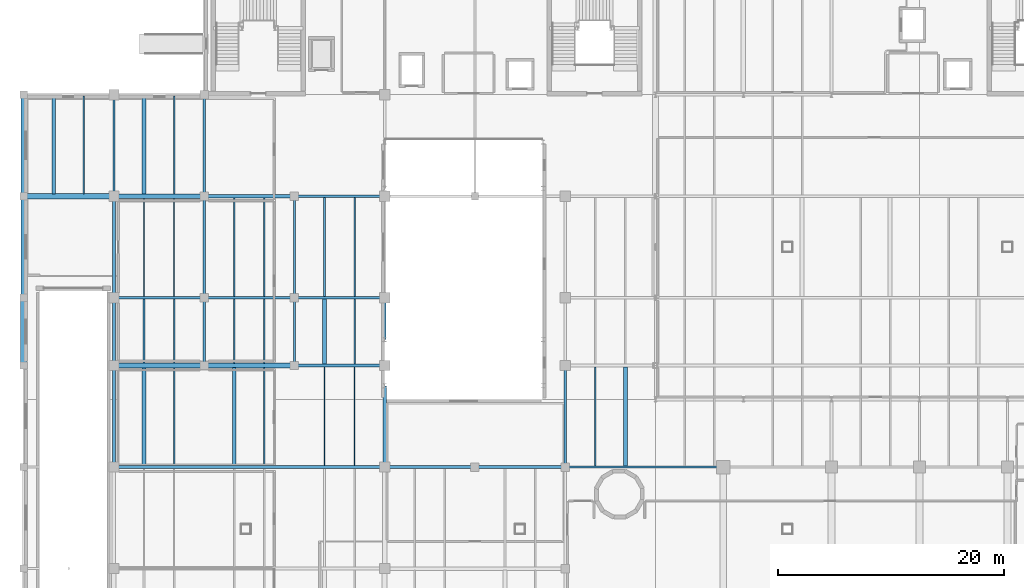
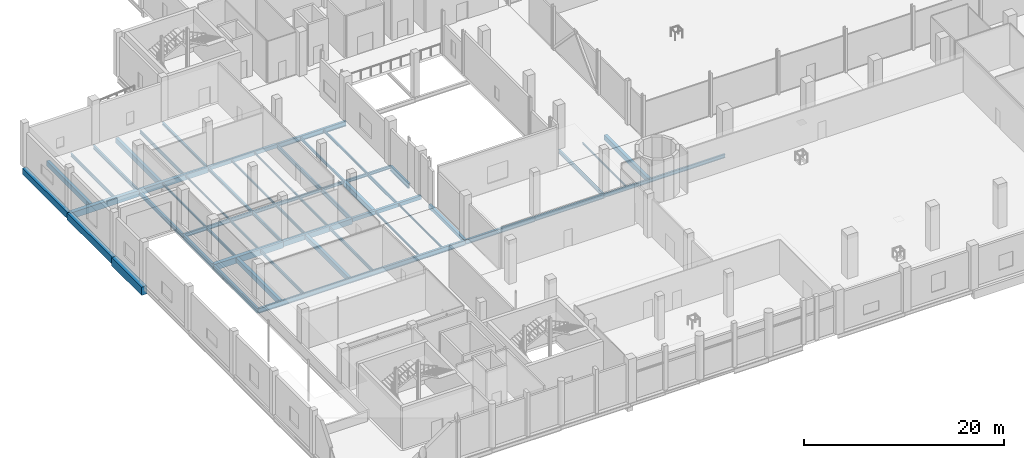
# One storey, part 21 of 57: 53 beams.
"""IFC4 building model written with IfcOpenShell, lengths in metres."""

from ifc_helpers import new_model, si_unit, derived_unit, direction, frame, origin, origin_2d, place, context, subcontext, project, spatial, rectangle, i_section, extrude, material, material_profile, profile_set, type_object, element, save


model = new_model("IFC4")

# Units and contexts
model_context = context("Model", 3, precision=1e-05, world=origin(), true_north=direction((0.0, 1.0)))
body_context = subcontext(model_context, "Body", "Model", "MODEL_VIEW")
ifc_project = project(units=[si_unit("LENGTHUNIT", "METRE"), si_unit("AREAUNIT", "SQUARE_METRE"), si_unit("VOLUMEUNIT", "CUBIC_METRE"), si_unit("PLANEANGLEUNIT", "RADIAN"), si_unit("MASSUNIT", "GRAM", prefix="KILO"), derived_unit("THERMALTRANSMITTANCEUNIT", [(si_unit("POWERUNIT", "WATT"), 1), (si_unit("LENGTHUNIT", "METRE"), -2), (si_unit("THERMODYNAMICTEMPERATUREUNIT", "KELVIN"), -1)])], contexts=[model_context])

# Site, building, storey
site_placement = place(None, origin())
site = spatial("IfcSite", under=ifc_project, at=site_placement, CompositionType="ELEMENT")
building_placement = place(site_placement, origin())
building = spatial("IfcBuilding", under=site, at=building_placement, Name="Nallur Shell Playhouse", CompositionType="ELEMENT")
storey_placement = place(building_placement, origin())
storey = spatial("IfcBuildingStorey", under=building, at=storey_placement, Name="L01", CompositionType="ELEMENT", Elevation=0.0)

# Beams
ifc_material_1 = material(Name="Steel E250", Category="steel")
ifc_material_profile_1 = material_profile(ifc_material_1, i_section(OverallWidth=0.110107421875, OverallDepth=0.22509765625, WebThickness=0.006591796875, FlangeThickness=0.01171875, FilletRadius=0.011962890625, at=origin_2d()), Name="ISMB 225")
ifc_profile_set_1 = profile_set([ifc_material_profile_1], Name="Steel E250")
beam_type_1 = type_object("IfcBeamType", Name="BM-JST-ISMB225", PredefinedType="JOIST", material=ifc_profile_set_1)
beam_1_placement = place(storey_placement, frame((21.333251953125, 56.097900390625, -0.4326171875), z_axis=(0.0, 1.0, 0.0), x_axis=(-1.0, 0.0, 0.0)))
element("IfcBeam", 1, at=beam_1_placement, inside=storey, type_object=beam_type_1, Name="L01 secondary joist 2-G-197", PredefinedType="JOIST", context=body_context, shape_type="SweptSolid", body=[
    extrude(i_section(OverallWidth=0.110107421875, OverallDepth=0.22509765625, WebThickness=0.006591796875, FlangeThickness=0.01171875, FilletRadius=0.011962890625, at=origin_2d()), origin(), (0.0, 0.0, 1.0), 8.7041015625),
])
beam_2_placement = place(storey_placement, frame((29.333251953125, 56.097900390625, -0.4326171875), z_axis=(0.0, 1.0, 0.0), x_axis=(-1.0, 0.0, 0.0)))
element("IfcBeam", 2, at=beam_2_placement, inside=storey, type_object=beam_type_1, Name="L01 secondary joist 3-G-209", PredefinedType="JOIST", context=body_context, shape_type="SweptSolid", body=[
    extrude(i_section(OverallWidth=0.110107421875, OverallDepth=0.22509765625, WebThickness=0.006591796875, FlangeThickness=0.01171875, FilletRadius=0.011962890625, at=origin_2d()), origin(), (0.0, 0.0, 1.0), 8.754150390625),
])
beam_3_placement = place(storey_placement, frame((37.333251953125, 41.123046875, -0.4326171875), z_axis=(0.0, 1.0, 0.0), x_axis=(-1.0, 0.0, 0.0)))
element("IfcBeam", 3, at=beam_3_placement, inside=storey, type_object=beam_type_1, Name="L01 secondary joist 4-E-215", PredefinedType="JOIST", context=body_context, shape_type="SweptSolid", body=[
    extrude(i_section(OverallWidth=0.110107421875, OverallDepth=0.22509765625, WebThickness=0.006591796875, FlangeThickness=0.01171875, FilletRadius=0.011962890625, at=origin_2d()), origin(), (0.0, 0.0, 1.0), 8.72900390625),
])
beam_4_placement = place(storey_placement, frame((58.666748046875, 41.097900390625, -0.4326171875), z_axis=(0.0, 1.0, 0.0), x_axis=(-1.0, 0.0, 0.0)))
element("IfcBeam", 4, at=beam_4_placement, inside=storey, type_object=beam_type_1, Name="L01 secondary joist 7-E-251", PredefinedType="JOIST", context=body_context, shape_type="SweptSolid", body=[
    extrude(i_section(OverallWidth=0.110107421875, OverallDepth=0.22509765625, WebThickness=0.006591796875, FlangeThickness=0.01171875, FilletRadius=0.011962890625, at=origin_2d()), origin(), (0.0, 0.0, 1.0), 8.779052734375),
])
ifc_material_profile_2 = material_profile(ifc_material_1, i_section(OverallWidth=0.125, OverallDepth=0.25, WebThickness=0.0068359375, FlangeThickness=0.012451171875, FilletRadius=0.012939453125, at=origin_2d()), Name="ISMB 250")
ifc_profile_set_2 = profile_set([ifc_material_profile_2], Name="Steel E250")
beam_type_2 = type_object("IfcBeamType", Name="BM-JST-ISMB250", PredefinedType="JOIST", material=ifc_profile_set_2)
beam_5_placement = place(storey_placement, frame((18.666748046875, 56.097900390625, -0.445068359375), z_axis=(0.0, 1.0, 0.0), x_axis=(-1.0, 0.0, 0.0)))
element("IfcBeam", 5, at=beam_5_placement, inside=storey, type_object=beam_type_2, Name="L01 secondary joist 2-G-196", PredefinedType="JOIST", context=body_context, shape_type="SweptSolid", body=[
    extrude(i_section(OverallWidth=0.125, OverallDepth=0.25, WebThickness=0.0068359375, FlangeThickness=0.012451171875, FilletRadius=0.012939453125, at=origin_2d()), origin(), (0.0, 0.0, 1.0), 8.7041015625),
])
beam_6_placement = place(storey_placement, frame((26.666748046875, 56.097900390625, -0.445068359375), z_axis=(0.0, 1.0, 0.0), x_axis=(-1.0, 0.0, 0.0)))
element("IfcBeam", 6, at=beam_6_placement, inside=storey, type_object=beam_type_2, Name="L01 secondary joist 3-G-208", PredefinedType="JOIST", context=body_context, shape_type="SweptSolid", body=[
    extrude(i_section(OverallWidth=0.125, OverallDepth=0.25, WebThickness=0.0068359375, FlangeThickness=0.012451171875, FilletRadius=0.012939453125, at=origin_2d()), origin(), (0.0, 0.0, 1.0), 8.754150390625),
])
beam_7_placement = place(storey_placement, frame((34.666748046875, 41.123046875, -0.445068359375), z_axis=(0.0, 1.0, 0.0), x_axis=(-1.0, 0.0, 0.0)))
element("IfcBeam", 7, at=beam_7_placement, inside=storey, type_object=beam_type_2, Name="L01 secondary joist 4-E-214", PredefinedType="JOIST", context=body_context, shape_type="SweptSolid", body=[
    extrude(i_section(OverallWidth=0.125, OverallDepth=0.25, WebThickness=0.0068359375, FlangeThickness=0.012451171875, FilletRadius=0.012939453125, at=origin_2d()), origin(), (0.0, 0.0, 1.0), 8.72900390625),
])
ifc_material_profile_3 = material_profile(ifc_material_1, i_section(OverallWidth=0.139892578125, OverallDepth=0.300048828125, WebThickness=0.0078125, FlangeThickness=0.01318359375, FilletRadius=0.013916015625, at=origin_2d()), Name="ISMB 300")
ifc_profile_set_3 = profile_set([ifc_material_profile_3], Name="Steel E250")
beam_type_3 = type_object("IfcBeamType", Name="BM-JST-ISMB300", PredefinedType="JOIST", material=ifc_profile_set_3)
beam_8_placement = place(storey_placement, frame((21.333251953125, 50.222900390625, -0.469970703125), z_axis=(0.0, 1.0, 0.0), x_axis=(-1.0, 0.0, 0.0)))
element("IfcBeam", 8, at=beam_8_placement, inside=storey, type_object=beam_type_3, Name="L01 secondary joist 2-F-195", PredefinedType="JOIST", context=body_context, shape_type="SweptSolid", body=[
    extrude(i_section(OverallWidth=0.139892578125, OverallDepth=0.300048828125, WebThickness=0.0078125, FlangeThickness=0.01318359375, FilletRadius=0.013916015625, at=origin_2d()), origin(), (0.0, 0.0, 1.0), 5.67919921875),
])
beam_9_placement = place(storey_placement, frame((29.333251953125, 50.197998046875, -0.469970703125), z_axis=(0.0, 1.0, 0.0), x_axis=(-1.0, 0.0, 0.0)))
element("IfcBeam", 9, at=beam_9_placement, inside=storey, type_object=beam_type_3, Name="L01 secondary joist 3-F-207", PredefinedType="JOIST", context=body_context, shape_type="SweptSolid", body=[
    extrude(i_section(OverallWidth=0.139892578125, OverallDepth=0.300048828125, WebThickness=0.0078125, FlangeThickness=0.01318359375, FilletRadius=0.013916015625, at=origin_2d()), origin(), (0.0, 0.0, 1.0), 5.7041015625),
])
beam_10_placement = place(storey_placement, frame((37.333251953125, 56.097900390625, -0.469970703125), z_axis=(0.0, 1.0, 0.0), x_axis=(-1.0, 0.0, 0.0)))
element("IfcBeam", 10, at=beam_10_placement, inside=storey, type_object=beam_type_3, Name="L01 secondary joist 4-G-219", PredefinedType="JOIST", context=body_context, shape_type="SweptSolid", body=[
    extrude(i_section(OverallWidth=0.139892578125, OverallDepth=0.300048828125, WebThickness=0.0078125, FlangeThickness=0.01318359375, FilletRadius=0.013916015625, at=origin_2d()), origin(), (0.0, 0.0, 1.0), 8.779052734375),
])
ifc_material_profile_4 = material_profile(ifc_material_1, i_section(OverallWidth=0.139892578125, OverallDepth=0.35009765625, WebThickness=0.008056640625, FlangeThickness=0.01416015625, FilletRadius=0.013916015625, at=origin_2d()), Name="ISMB 350")
ifc_profile_set_4 = profile_set([ifc_material_profile_4], Name="Steel E250")
beam_type_4 = type_object("IfcBeamType", Name="BM-JST-ISMB350", PredefinedType="JOIST", material=ifc_profile_set_4)
beam_11_placement = place(storey_placement, frame((18.666748046875, 50.222900390625, -0.4951171875), z_axis=(0.0, 1.0, 0.0), x_axis=(-1.0, 0.0, 0.0)))
element("IfcBeam", 11, at=beam_11_placement, inside=storey, type_object=beam_type_4, Name="L01 secondary joist 2-F-194", PredefinedType="JOIST", context=body_context, shape_type="SweptSolid", body=[
    extrude(i_section(OverallWidth=0.139892578125, OverallDepth=0.35009765625, WebThickness=0.008056640625, FlangeThickness=0.01416015625, FilletRadius=0.013916015625, at=origin_2d()), origin(), (0.0, 0.0, 1.0), 5.67919921875),
])
beam_12_placement = place(storey_placement, frame((26.666748046875, 50.197998046875, -0.4951171875), z_axis=(0.0, 1.0, 0.0), x_axis=(-1.0, 0.0, 0.0)))
element("IfcBeam", 12, at=beam_12_placement, inside=storey, type_object=beam_type_4, Name="L01 secondary joist 3-F-206", PredefinedType="JOIST", context=body_context, shape_type="SweptSolid", body=[
    extrude(i_section(OverallWidth=0.139892578125, OverallDepth=0.35009765625, WebThickness=0.008056640625, FlangeThickness=0.01416015625, FilletRadius=0.013916015625, at=origin_2d()), origin(), (0.0, 0.0, 1.0), 5.7041015625),
])
beam_13_placement = place(storey_placement, frame((34.666748046875, 56.097900390625, -0.4951171875), z_axis=(0.0, 1.0, 0.0), x_axis=(-1.0, 0.0, 0.0)))
element("IfcBeam", 13, at=beam_13_placement, inside=storey, type_object=beam_type_4, Name="L01 secondary joist 4-G-218", PredefinedType="JOIST", context=body_context, shape_type="SweptSolid", body=[
    extrude(i_section(OverallWidth=0.139892578125, OverallDepth=0.35009765625, WebThickness=0.008056640625, FlangeThickness=0.01416015625, FilletRadius=0.013916015625, at=origin_2d()), origin(), (0.0, 0.0, 1.0), 8.779052734375),
])
ifc_material_profile_5 = material_profile(ifc_material_1, i_section(OverallWidth=0.139892578125, OverallDepth=0.39990234375, WebThickness=0.0087890625, FlangeThickness=0.01611328125, FilletRadius=0.013916015625, at=origin_2d()), Name="ISMB 400")
ifc_profile_set_5 = profile_set([ifc_material_profile_5], Name="Steel E250")
beam_type_5 = type_object("IfcBeamType", Name="BM-JST-ISMB400", PredefinedType="JOIST", material=ifc_profile_set_5)
beam_14_placement = place(storey_placement, frame((13.333251953125, 65.222900390625, -0.52001953125), z_axis=(0.0, 1.0, 0.0), x_axis=(-1.0, 0.0, 0.0)))
element("IfcBeam", 14, at=beam_14_placement, inside=storey, type_object=beam_type_5, Name="L01 secondary joist 1-H-187", PredefinedType="JOIST", context=body_context, shape_type="SweptSolid", body=[
    extrude(i_section(OverallWidth=0.139892578125, OverallDepth=0.39990234375, WebThickness=0.0087890625, FlangeThickness=0.01611328125, FilletRadius=0.013916015625, at=origin_2d()), origin(), (0.0, 0.0, 1.0), 8.67919921875),
])
beam_15_placement = place(storey_placement, frame((21.333251953125, 41.123046875, -0.52001953125), z_axis=(0.0, 1.0, 0.0), x_axis=(-1.0, 0.0, 0.0)))
element("IfcBeam", 15, at=beam_15_placement, inside=storey, type_object=beam_type_5, Name="L01 secondary joist 2-E-193", PredefinedType="JOIST", context=body_context, shape_type="SweptSolid", body=[
    extrude(i_section(OverallWidth=0.139892578125, OverallDepth=0.39990234375, WebThickness=0.0087890625, FlangeThickness=0.01611328125, FilletRadius=0.013916015625, at=origin_2d()), origin(), (0.0, 0.0, 1.0), 8.654052734375),
])
beam_16_placement = place(storey_placement, frame((21.333251953125, 65.197998046875, -0.52001953125), z_axis=(0.0, 1.0, 0.0), x_axis=(-1.0, 0.0, 0.0)))
element("IfcBeam", 16, at=beam_16_placement, inside=storey, type_object=beam_type_5, Name="L01 secondary joist 2-H-199", PredefinedType="JOIST", context=body_context, shape_type="SweptSolid", body=[
    extrude(i_section(OverallWidth=0.139892578125, OverallDepth=0.39990234375, WebThickness=0.0087890625, FlangeThickness=0.01611328125, FilletRadius=0.013916015625, at=origin_2d()), origin(), (0.0, 0.0, 1.0), 8.7041015625),
])
beam_17_placement = place(storey_placement, frame((29.333251953125, 41.123046875, -0.52001953125), z_axis=(0.0, 1.0, 0.0), x_axis=(-1.0, 0.0, 0.0)))
element("IfcBeam", 17, at=beam_17_placement, inside=storey, type_object=beam_type_5, Name="L01 secondary joist 3-E-205", PredefinedType="JOIST", context=body_context, shape_type="SweptSolid", body=[
    extrude(i_section(OverallWidth=0.139892578125, OverallDepth=0.39990234375, WebThickness=0.0087890625, FlangeThickness=0.01611328125, FilletRadius=0.013916015625, at=origin_2d()), origin(), (0.0, 0.0, 1.0), 8.678955078125),
])
beam_18_placement = place(storey_placement, frame((37.333251953125, 50.14794921875, -0.52001953125), z_axis=(0.0, 1.0, 0.0), x_axis=(-1.0, 0.0, 0.0)))
element("IfcBeam", 18, at=beam_18_placement, inside=storey, type_object=beam_type_5, Name="L01 secondary joist 4-F-217", PredefinedType="JOIST", context=body_context, shape_type="SweptSolid", body=[
    extrude(i_section(OverallWidth=0.139892578125, OverallDepth=0.39990234375, WebThickness=0.0087890625, FlangeThickness=0.01611328125, FilletRadius=0.013916015625, at=origin_2d()), origin(), (0.0, 0.0, 1.0), 5.754150390625),
])
ifc_material_2 = material(Name="Concrete M30", Category="concrete")
ifc_material_profile_6 = material_profile(ifc_material_2, rectangle(XDim=0.35009765625, YDim=0.60009765625, at=origin_2d()), Name="RC 350x600")
ifc_profile_set_6 = profile_set([ifc_material_profile_6], Name="Concrete M30")
beam_type_6 = type_object("IfcBeamType", Name="BM-RC-350x600", PredefinedType="JOIST", material=ifc_profile_set_6)
beam_19_placement = place(storey_placement, frame((10.666748046875, 65.222900390625, -0.6201171875), z_axis=(0.0, 1.0, 0.0), x_axis=(-1.0, 0.0, 0.0)))
element("IfcBeam", 19, at=beam_19_placement, inside=storey, type_object=beam_type_6, Name="L01 secondary joist 1-H-186", PredefinedType="JOIST", context=body_context, shape_type="SweptSolid", body=[
    extrude(rectangle(XDim=0.35009765625, YDim=0.60009765625, at=origin_2d()), origin(), (0.0, 0.0, 1.0), 8.67919921875),
])
beam_20_placement = place(storey_placement, frame((18.666748046875, 41.123046875, -0.6201171875), z_axis=(0.0, 1.0, 0.0), x_axis=(-1.0, 0.0, 0.0)))
element("IfcBeam", 20, at=beam_20_placement, inside=storey, type_object=beam_type_6, Name="L01 secondary joist 2-E-192", PredefinedType="JOIST", context=body_context, shape_type="SweptSolid", body=[
    extrude(rectangle(XDim=0.35009765625, YDim=0.60009765625, at=origin_2d()), origin(), (0.0, 0.0, 1.0), 8.654052734375),
])
beam_21_placement = place(storey_placement, frame((18.666748046875, 65.197998046875, -0.6201171875), z_axis=(0.0, 1.0, 0.0), x_axis=(-1.0, 0.0, 0.0)))
element("IfcBeam", 21, at=beam_21_placement, inside=storey, type_object=beam_type_6, Name="L01 secondary joist 2-H-198", PredefinedType="JOIST", context=body_context, shape_type="SweptSolid", body=[
    extrude(rectangle(XDim=0.35009765625, YDim=0.60009765625, at=origin_2d()), origin(), (0.0, 0.0, 1.0), 8.7041015625),
])
beam_22_placement = place(storey_placement, frame((26.666748046875, 41.123046875, -0.6201171875), z_axis=(0.0, 1.0, 0.0), x_axis=(-1.0, 0.0, 0.0)))
element("IfcBeam", 22, at=beam_22_placement, inside=storey, type_object=beam_type_6, Name="L01 secondary joist 3-E-204", PredefinedType="JOIST", context=body_context, shape_type="SweptSolid", body=[
    extrude(rectangle(XDim=0.35009765625, YDim=0.60009765625, at=origin_2d()), origin(), (0.0, 0.0, 1.0), 8.678955078125),
])
beam_23_placement = place(storey_placement, frame((34.666748046875, 50.14794921875, -0.6201171875), z_axis=(0.0, 1.0, 0.0), x_axis=(-1.0, 0.0, 0.0)))
element("IfcBeam", 23, at=beam_23_placement, inside=storey, type_object=beam_type_6, Name="L01 secondary joist 4-F-216", PredefinedType="JOIST", context=body_context, shape_type="SweptSolid", body=[
    extrude(rectangle(XDim=0.35009765625, YDim=0.60009765625, at=origin_2d()), origin(), (0.0, 0.0, 1.0), 5.754150390625),
])
beam_24_placement = place(storey_placement, frame((61.333251953125, 41.097900390625, -0.6201171875), z_axis=(0.0, 1.0, 0.0), x_axis=(-1.0, 0.0, 0.0)))
element("IfcBeam", 24, at=beam_24_placement, inside=storey, type_object=beam_type_6, Name="L01 secondary joist 7-E-252", PredefinedType="JOIST", context=body_context, shape_type="SweptSolid", body=[
    extrude(rectangle(XDim=0.35009765625, YDim=0.60009765625, at=origin_2d()), origin(), (0.0, 0.0, 1.0), 8.779052734375),
])
ifc_material_3 = material(Name="Concrete M35", Category="concrete")
ifc_material_profile_7 = material_profile(ifc_material_3, rectangle(XDim=0.39990234375, YDim=0.64990234375, at=origin_2d()), Name="RC 400x650")
ifc_profile_set_7 = profile_set([ifc_material_profile_7], Name="Concrete M35")
beam_type_7 = type_object("IfcBeamType", Name="BM-RC-400x650", PredefinedType="BEAM", material=ifc_profile_set_7)
for number, where, z_axis, x_axis, name in (
    (25, (24.0, 50.0, -0.64501953125), (1.0, 0.0, 0.0), (0.0, 1.0, 0.0), "L01 girder X-F-47"),
    (26, (16.0, 65.0, -0.64501953125), (1.0, 0.0, 0.0), (0.0, 1.0, 0.0), "L01 girder X-H-63"),
):
    element("IfcBeam", number, at=place(storey_placement, frame(where, z_axis=z_axis, x_axis=x_axis)), inside=storey, type_object=beam_type_7, Name=name, PredefinedType="BEAM", context=body_context, shape_type="SweptSolid", body=[
        extrude(rectangle(XDim=0.39990234375, YDim=0.64990234375, at=origin_2d()), origin(), (0.0, 0.0, 1.0), 8.0),
    ])
ifc_material_profile_8 = material_profile(ifc_material_3, rectangle(XDim=0.449951171875, YDim=0.75, at=origin_2d()), Name="RC 450x750")
ifc_profile_set_8 = profile_set([ifc_material_profile_8], Name="Concrete M35")
beam_type_8 = type_object("IfcBeamType", Name="BM-RC-450x750", PredefinedType="BEAM", material=ifc_profile_set_8)
for number, where, z_axis, x_axis, name in (
    (27, (16.0, 50.0, -0.695068359375), (1.0, 0.0, 0.0), (0.0, 1.0, 0.0), "L01 girder X-F-46"),
    (28, (8.0, 65.0, -0.695068359375), (1.0, 0.0, 0.0), (0.0, 1.0, 0.0), "L01 girder X-H-62"),
):
    element("IfcBeam", number, at=place(storey_placement, frame(where, z_axis=z_axis, x_axis=x_axis)), inside=storey, type_object=beam_type_8, Name=name, PredefinedType="BEAM", context=body_context, shape_type="SweptSolid", body=[
        extrude(rectangle(XDim=0.449951171875, YDim=0.75, at=origin_2d()), origin(), (0.0, 0.0, 1.0), 8.0),
    ])
beam_25_placement = place(storey_placement, frame((8.0, 65.0, -0.695068359375), z_axis=(0.0, 1.0, 0.0), x_axis=(-1.0, 0.0, 0.0)))
element("IfcBeam", 29, at=beam_25_placement, inside=storey, type_object=beam_type_8, Name="L01 girder Y-1-94", PredefinedType="BEAM", context=body_context, shape_type="SweptSolid", body=[
    extrude(rectangle(XDim=0.449951171875, YDim=0.75, at=origin_2d()), origin(), (0.0, 0.0, 1.0), 9.0),
])
ifc_material_4 = material(Name="Concrete M40", Category="concrete")
ifc_material_profile_9 = material_profile(ifc_material_4, rectangle(XDim=0.5, YDim=0.85009765625, at=origin_2d()), Name="RC 500x850")
ifc_profile_set_9 = profile_set([ifc_material_profile_9], Name="Concrete M40")
beam_type_9 = type_object("IfcBeamType", Name="BM-RC-500x850", PredefinedType="BEAM", material=ifc_profile_set_9)
beam_26_placement = place(storey_placement, frame((8.0, 56.0, -0.7451171875), z_axis=(0.0, 1.0, 0.0), x_axis=(-1.0, 0.0, 0.0)))
element("IfcBeam", 30, at=beam_26_placement, inside=storey, type_object=beam_type_9, Name="L01 girder Y-1-93", PredefinedType="BEAM", context=body_context, shape_type="SweptSolid", body=[
    extrude(rectangle(XDim=0.5, YDim=0.85009765625, at=origin_2d()), origin(), (0.0, 0.0, 1.0), 9.0),
])
ifc_material_profile_10 = material_profile(ifc_material_4, rectangle(XDim=0.60009765625, YDim=1.0, at=origin_2d()), Name="RC 600x1000")
ifc_profile_set_10 = profile_set([ifc_material_profile_10], Name="Concrete M40")
beam_type_10 = type_object("IfcBeamType", Name="BM-RC-600x1000", PredefinedType="BEAM", material=ifc_profile_set_10)
beam_27_placement = place(storey_placement, frame((8.0, 50.0, -0.820068359375), z_axis=(0.0, 1.0, 0.0), x_axis=(-1.0, 0.0, 0.0)))
element("IfcBeam", 31, at=beam_27_placement, inside=storey, type_object=beam_type_10, Name="L01 girder Y-1-92", PredefinedType="BEAM", context=body_context, shape_type="SweptSolid", body=[
    extrude(rectangle(XDim=0.60009765625, YDim=1.0, at=origin_2d()), origin(), (0.0, 0.0, 1.0), 6.0),
])
ifc_material_profile_11 = material_profile(ifc_material_3, rectangle(XDim=0.300048828125, YDim=0.449951171875, at=origin_2d()), Name="RC 300x450")
ifc_profile_set_11 = profile_set([ifc_material_profile_11], Name="Concrete M35")
beam_type_11 = type_object("IfcBeamType", Name="BM-SPN-300x450", PredefinedType="SPANDREL", material=ifc_profile_set_11)
for number, where, z_axis, x_axis, name in (
    (32, (32.0, 50.0, -0.544921875), (1.0, 0.0, 0.0), (0.0, 1.0, 0.0), "L01 girder X-F-48"),
    (33, (24.0, 65.0, -0.544921875), (1.0, 0.0, 0.0), (0.0, 1.0, 0.0), "L01 girder X-H-64"),
):
    element("IfcBeam", number, at=place(storey_placement, frame(where, z_axis=z_axis, x_axis=x_axis)), inside=storey, type_object=beam_type_11, Name=name, PredefinedType="SPANDREL", context=body_context, shape_type="SweptSolid", body=[
        extrude(rectangle(XDim=0.300048828125, YDim=0.449951171875, at=origin_2d()), origin(), (0.0, 0.0, 1.0), 8.0),
    ])
beam_28_placement = place(storey_placement, frame((40.0, 41.0, -0.544921875), z_axis=(0.0, 1.0, 0.0), x_axis=(-1.0, 0.0, 0.0)))
element("IfcBeam", 34, at=beam_28_placement, inside=storey, type_object=beam_type_11, Name="L01 girder Y-5-112", PredefinedType="SPANDREL", context=body_context, shape_type="SweptSolid", body=[
    extrude(rectangle(XDim=0.300048828125, YDim=0.449951171875, at=origin_2d()), origin(), (0.0, 0.0, 1.0), 7.199951171875),
])
ifc_material_5 = material(Name="Steel E350", Category="steel")
ifc_material_profile_12 = material_profile(ifc_material_5, i_section(OverallWidth=0.179931640625, OverallDepth=0.5, WebThickness=0.01025390625, FlangeThickness=0.01708984375, FilletRadius=0.01708984375, at=origin_2d()), Name="ISMB 500")
ifc_profile_set_12 = profile_set([ifc_material_profile_12], Name="Steel E350")
beam_type_12 = type_object("IfcBeamType", Name="BM-ST-ISMB500", PredefinedType="BEAM", material=ifc_profile_set_12)
beam_29_placement = place(storey_placement, frame((32.0, 56.0, -0.570068359375), z_axis=(0.0, 1.0, 0.0), x_axis=(-1.0, 0.0, 0.0)))
element("IfcBeam", 35, at=beam_29_placement, inside=storey, type_object=beam_type_12, Name="L01 girder Y-4-106", PredefinedType="BEAM", context=body_context, shape_type="SweptSolid", body=[
    extrude(i_section(OverallWidth=0.179931640625, OverallDepth=0.5, WebThickness=0.01025390625, FlangeThickness=0.01708984375, FilletRadius=0.01708984375, at=origin_2d()), origin(), (0.0, 0.0, 1.0), 9.0),
])
ifc_material_profile_13 = material_profile(ifc_material_5, i_section(OverallWidth=0.18994140625, OverallDepth=0.550048828125, WebThickness=0.01123046875, FlangeThickness=0.019287109375, FilletRadius=0.01806640625, at=origin_2d()), Name="ISMB 550")
ifc_profile_set_13 = profile_set([ifc_material_profile_13], Name="Steel E350")
beam_type_13 = type_object("IfcBeamType", Name="BM-ST-ISMB550", PredefinedType="BEAM", material=ifc_profile_set_13)
beam_30_placement = place(storey_placement, frame((32.0, 50.0, -0.594970703125), z_axis=(0.0, 1.0, 0.0), x_axis=(-1.0, 0.0, 0.0)))
element("IfcBeam", 36, at=beam_30_placement, inside=storey, type_object=beam_type_13, Name="L01 girder Y-4-105", PredefinedType="BEAM", context=body_context, shape_type="SweptSolid", body=[
    extrude(i_section(OverallWidth=0.18994140625, OverallDepth=0.550048828125, WebThickness=0.01123046875, FlangeThickness=0.019287109375, FilletRadius=0.01806640625, at=origin_2d()), origin(), (0.0, 0.0, 1.0), 6.0),
])
ifc_material_profile_14 = material_profile(ifc_material_1, i_section(OverallWidth=0.199951171875, OverallDepth=0.300048828125, WebThickness=0.00732421875, FlangeThickness=0.010009765625, FilletRadius=0.010986328125, at=origin_2d()), Name="ISWB 300")
ifc_profile_set_14 = profile_set([ifc_material_profile_14], Name="Steel E250")
beam_type_14 = type_object("IfcBeamType", Name="BM-ST-ISWB300", PredefinedType="BEAM", material=ifc_profile_set_14)
beam_31_placement = place(storey_placement, frame((24.0, 65.0, -0.469970703125), z_axis=(0.0, 1.0, 0.0), x_axis=(-1.0, 0.0, 0.0)))
element("IfcBeam", 37, at=beam_31_placement, inside=storey, type_object=beam_type_14, Name="L01 girder Y-3-103", PredefinedType="BEAM", context=body_context, shape_type="SweptSolid", body=[
    extrude(i_section(OverallWidth=0.199951171875, OverallDepth=0.300048828125, WebThickness=0.00732421875, FlangeThickness=0.010009765625, FilletRadius=0.010986328125, at=origin_2d()), origin(), (0.0, 0.0, 1.0), 9.0),
])
ifc_material_profile_15 = material_profile(ifc_material_5, i_section(OverallWidth=0.199951171875, OverallDepth=0.35009765625, WebThickness=0.008056640625, FlangeThickness=0.011474609375, FilletRadius=0.011962890625, at=origin_2d()), Name="ISWB 350")
ifc_profile_set_15 = profile_set([ifc_material_profile_15], Name="Steel E350")
beam_type_15 = type_object("IfcBeamType", Name="BM-ST-ISWB350", PredefinedType="BEAM", material=ifc_profile_set_15)
beam_32_placement = place(storey_placement, frame((32.0, 56.0, -0.4951171875), z_axis=(1.0, 0.0, 0.0), x_axis=(0.0, 1.0, 0.0)))
element("IfcBeam", 38, at=beam_32_placement, inside=storey, type_object=beam_type_15, Name="L01 girder X-G-54", PredefinedType="BEAM", context=body_context, shape_type="SweptSolid", body=[
    extrude(i_section(OverallWidth=0.199951171875, OverallDepth=0.35009765625, WebThickness=0.008056640625, FlangeThickness=0.011474609375, FilletRadius=0.011962890625, at=origin_2d()), origin(), (0.0, 0.0, 1.0), 8.0),
])
beam_33_placement = place(storey_placement, frame((24.0, 56.0, -0.4951171875), z_axis=(0.0, 1.0, 0.0), x_axis=(-1.0, 0.0, 0.0)))
element("IfcBeam", 39, at=beam_33_placement, inside=storey, type_object=beam_type_15, Name="L01 girder Y-3-102", PredefinedType="BEAM", context=body_context, shape_type="SweptSolid", body=[
    extrude(i_section(OverallWidth=0.199951171875, OverallDepth=0.35009765625, WebThickness=0.008056640625, FlangeThickness=0.011474609375, FilletRadius=0.011962890625, at=origin_2d()), origin(), (0.0, 0.0, 1.0), 9.0),
])
ifc_material_profile_16 = material_profile(ifc_material_5, i_section(OverallWidth=0.199951171875, OverallDepth=0.39990234375, WebThickness=0.008544921875, FlangeThickness=0.012939453125, FilletRadius=0.012939453125, at=origin_2d()), Name="ISWB 400")
ifc_profile_set_16 = profile_set([ifc_material_profile_16], Name="Steel E350")
beam_type_16 = type_object("IfcBeamType", Name="BM-ST-ISWB400", PredefinedType="BEAM", material=ifc_profile_set_16)
beam_34_placement = place(storey_placement, frame((24.0, 56.0, -0.52001953125), z_axis=(1.0, 0.0, 0.0), x_axis=(0.0, 1.0, 0.0)))
element("IfcBeam", 40, at=beam_34_placement, inside=storey, type_object=beam_type_16, Name="L01 girder X-G-53", PredefinedType="BEAM", context=body_context, shape_type="SweptSolid", body=[
    extrude(i_section(OverallWidth=0.199951171875, OverallDepth=0.39990234375, WebThickness=0.008544921875, FlangeThickness=0.012939453125, FilletRadius=0.012939453125, at=origin_2d()), origin(), (0.0, 0.0, 1.0), 8.0),
])
beam_35_placement = place(storey_placement, frame((24.0, 50.0, -0.52001953125), z_axis=(0.0, 1.0, 0.0), x_axis=(-1.0, 0.0, 0.0)))
element("IfcBeam", 41, at=beam_35_placement, inside=storey, type_object=beam_type_16, Name="L01 girder Y-3-101", PredefinedType="BEAM", context=body_context, shape_type="SweptSolid", body=[
    extrude(i_section(OverallWidth=0.199951171875, OverallDepth=0.39990234375, WebThickness=0.008544921875, FlangeThickness=0.012939453125, FilletRadius=0.012939453125, at=origin_2d()), origin(), (0.0, 0.0, 1.0), 6.0),
])
ifc_material_profile_17 = material_profile(ifc_material_5, i_section(OverallWidth=0.199951171875, OverallDepth=0.449951171875, WebThickness=0.00927734375, FlangeThickness=0.015380859375, FilletRadius=0.013916015625, at=origin_2d()), Name="ISWB 450")
ifc_profile_set_17 = profile_set([ifc_material_profile_17], Name="Steel E350")
beam_type_17 = type_object("IfcBeamType", Name="BM-ST-ISWB450", PredefinedType="BEAM", material=ifc_profile_set_17)
beam_36_placement = place(storey_placement, frame((56.0, 41.0, -0.544921875), z_axis=(1.0, 0.0, 0.0), x_axis=(0.0, 1.0, 0.0)))
element("IfcBeam", 42, at=beam_36_placement, inside=storey, type_object=beam_type_17, Name="L01 girder X-E-36", PredefinedType="BEAM", context=body_context, shape_type="SweptSolid", body=[
    extrude(i_section(OverallWidth=0.199951171875, OverallDepth=0.449951171875, WebThickness=0.00927734375, FlangeThickness=0.015380859375, FilletRadius=0.013916015625, at=origin_2d()), origin(), (0.0, 0.0, 1.0), 14.0),
])
beam_37_placement = place(storey_placement, frame((16.0, 56.0, -0.544921875), z_axis=(1.0, 0.0, 0.0), x_axis=(0.0, 1.0, 0.0)))
element("IfcBeam", 43, at=beam_37_placement, inside=storey, type_object=beam_type_17, Name="L01 girder X-G-52", PredefinedType="BEAM", context=body_context, shape_type="SweptSolid", body=[
    extrude(i_section(OverallWidth=0.199951171875, OverallDepth=0.449951171875, WebThickness=0.00927734375, FlangeThickness=0.015380859375, FilletRadius=0.013916015625, at=origin_2d()), origin(), (0.0, 0.0, 1.0), 8.0),
])
for number, where, z_axis, x_axis, name in (
    (44, (16.0, 65.0, -0.544921875), (0.0, 1.0, 0.0), (-1.0, 0.0, 0.0), "L01 girder Y-2-100"),
    (45, (56.0, 41.0, -0.544921875), (0.0, 1.0, 0.0), (-1.0, 0.0, 0.0), "L01 girder Y-7-132"),
):
    element("IfcBeam", number, at=place(storey_placement, frame(where, z_axis=z_axis, x_axis=x_axis)), inside=storey, type_object=beam_type_17, Name=name, PredefinedType="BEAM", context=body_context, shape_type="SweptSolid", body=[
        extrude(i_section(OverallWidth=0.199951171875, OverallDepth=0.449951171875, WebThickness=0.00927734375, FlangeThickness=0.015380859375, FilletRadius=0.013916015625, at=origin_2d()), origin(), (0.0, 0.0, 1.0), 9.0),
    ])
ifc_material_profile_18 = material_profile(ifc_material_5, i_section(OverallWidth=0.25, OverallDepth=0.5, WebThickness=0.010009765625, FlangeThickness=0.0146484375, FilletRadius=0.014892578125, at=origin_2d()), Name="ISWB 500")
ifc_profile_set_18 = profile_set([ifc_material_profile_18], Name="Steel E350")
beam_type_18 = type_object("IfcBeamType", Name="BM-ST-ISWB500", PredefinedType="BEAM", material=ifc_profile_set_18)
beam_38_placement = place(storey_placement, frame((48.0, 41.0, -0.570068359375), z_axis=(1.0, 0.0, 0.0), x_axis=(0.0, 1.0, 0.0)))
element("IfcBeam", 46, at=beam_38_placement, inside=storey, type_object=beam_type_18, Name="L01 girder X-E-35", PredefinedType="BEAM", context=body_context, shape_type="SweptSolid", body=[
    extrude(i_section(OverallWidth=0.25, OverallDepth=0.5, WebThickness=0.010009765625, FlangeThickness=0.0146484375, FilletRadius=0.014892578125, at=origin_2d()), origin(), (0.0, 0.0, 1.0), 8.0),
])
beam_39_placement = place(storey_placement, frame((16.0, 56.0, -0.570068359375), z_axis=(0.0, 1.0, 0.0), x_axis=(-1.0, 0.0, 0.0)))
element("IfcBeam", 47, at=beam_39_placement, inside=storey, type_object=beam_type_18, Name="L01 girder Y-2-99", PredefinedType="BEAM", context=body_context, shape_type="SweptSolid", body=[
    extrude(i_section(OverallWidth=0.25, OverallDepth=0.5, WebThickness=0.010009765625, FlangeThickness=0.0146484375, FilletRadius=0.014892578125, at=origin_2d()), origin(), (0.0, 0.0, 1.0), 9.0),
])
ifc_material_profile_19 = material_profile(ifc_material_5, i_section(OverallWidth=0.25, OverallDepth=0.550048828125, WebThickness=0.010498046875, FlangeThickness=0.017578125, FilletRadius=0.01611328125, at=origin_2d()), Name="ISWB 550")
ifc_profile_set_19 = profile_set([ifc_material_profile_19], Name="Steel E350")
beam_type_19 = type_object("IfcBeamType", Name="BM-ST-ISWB550", PredefinedType="BEAM", material=ifc_profile_set_19)
beam_40_placement = place(storey_placement, frame((40.0, 41.0, -0.594970703125), z_axis=(1.0, 0.0, 0.0), x_axis=(0.0, 1.0, 0.0)))
element("IfcBeam", 48, at=beam_40_placement, inside=storey, type_object=beam_type_19, Name="L01 girder X-E-34", PredefinedType="BEAM", context=body_context, shape_type="SweptSolid", body=[
    extrude(i_section(OverallWidth=0.25, OverallDepth=0.550048828125, WebThickness=0.010498046875, FlangeThickness=0.017578125, FilletRadius=0.01611328125, at=origin_2d()), origin(), (0.0, 0.0, 1.0), 8.0),
])
beam_41_placement = place(storey_placement, frame((16.0, 50.0, -0.594970703125), z_axis=(0.0, 1.0, 0.0), x_axis=(-1.0, 0.0, 0.0)))
element("IfcBeam", 49, at=beam_41_placement, inside=storey, type_object=beam_type_19, Name="L01 girder Y-2-98", PredefinedType="BEAM", context=body_context, shape_type="SweptSolid", body=[
    extrude(i_section(OverallWidth=0.25, OverallDepth=0.550048828125, WebThickness=0.010498046875, FlangeThickness=0.017578125, FilletRadius=0.01611328125, at=origin_2d()), origin(), (0.0, 0.0, 1.0), 6.0),
])
ifc_material_profile_20 = material_profile(ifc_material_5, i_section(OverallWidth=0.25, OverallDepth=0.60009765625, WebThickness=0.01171875, FlangeThickness=0.023681640625, FilletRadius=0.01708984375, at=origin_2d()), Name="ISWB 600")
ifc_profile_set_20 = profile_set([ifc_material_profile_20], Name="Steel E350")
beam_type_20 = type_object("IfcBeamType", Name="BM-ST-ISWB600", PredefinedType="BEAM", material=ifc_profile_set_20)
beam_42_placement = place(storey_placement, frame((32.0, 65.0, -0.6201171875), z_axis=(1.0, 0.0, 0.0), x_axis=(0.0, 1.0, 0.0)))
element("IfcBeam", 50, at=beam_42_placement, inside=storey, type_object=beam_type_20, Name="L01 girder X-H-65", PredefinedType="BEAM", context=body_context, shape_type="SweptSolid", body=[
    extrude(i_section(OverallWidth=0.25, OverallDepth=0.60009765625, WebThickness=0.01171875, FlangeThickness=0.023681640625, FilletRadius=0.01708984375, at=origin_2d()), origin(), (0.0, 0.0, 1.0), 8.0),
])
beam_43_placement = place(storey_placement, frame((16.0, 41.0, -0.6201171875), z_axis=(0.0, 1.0, 0.0), x_axis=(-1.0, 0.0, 0.0)))
element("IfcBeam", 51, at=beam_43_placement, inside=storey, type_object=beam_type_20, Name="L01 girder Y-2-97", PredefinedType="BEAM", context=body_context, shape_type="SweptSolid", body=[
    extrude(i_section(OverallWidth=0.25, OverallDepth=0.60009765625, WebThickness=0.01171875, FlangeThickness=0.023681640625, FilletRadius=0.01708984375, at=origin_2d()), origin(), (0.0, 0.0, 1.0), 9.0),
])
beam_44_placement = place(storey_placement, frame((40.0, 52.300048828125, -0.6201171875), z_axis=(0.0, 1.0, 0.0), x_axis=(-1.0, 0.0, 0.0)))
element("IfcBeam", 52, at=beam_44_placement, inside=storey, type_object=beam_type_20, Name="L01 girder Y-5-113", PredefinedType="BEAM", context=body_context, shape_type="SweptSolid", body=[
    extrude(i_section(OverallWidth=0.25, OverallDepth=0.60009765625, WebThickness=0.01171875, FlangeThickness=0.023681640625, FilletRadius=0.01708984375, at=origin_2d()), origin(), (0.0, 0.0, 1.0), 3.699951171875),
])
beam_45_placement = place(storey_placement, frame((16.0, 41.0, -0.6201171875), z_axis=(1.0, 0.0, 0.0), x_axis=(0.0, 1.0, 0.0)))
element("IfcBeam", 53, at=beam_45_placement, inside=storey, type_object=beam_type_20, Name="L01 long-span hall girder Y=41.0-181", PredefinedType="BEAM", context=body_context, shape_type="SweptSolid", body=[
    extrude(i_section(OverallWidth=0.25, OverallDepth=0.60009765625, WebThickness=0.01171875, FlangeThickness=0.023681640625, FilletRadius=0.01708984375, at=origin_2d()), origin(), (0.0, 0.0, 1.0), 24.0),
])

save(model, "model.ifc")
